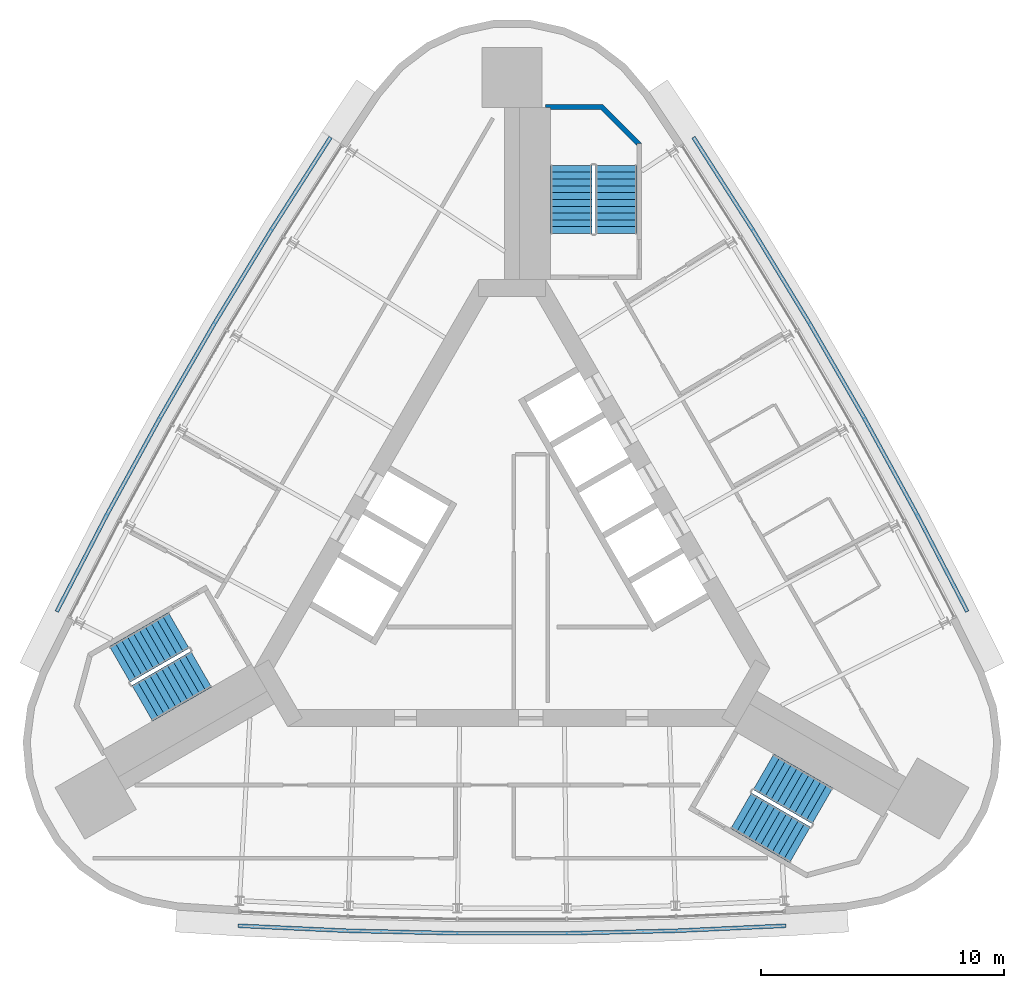
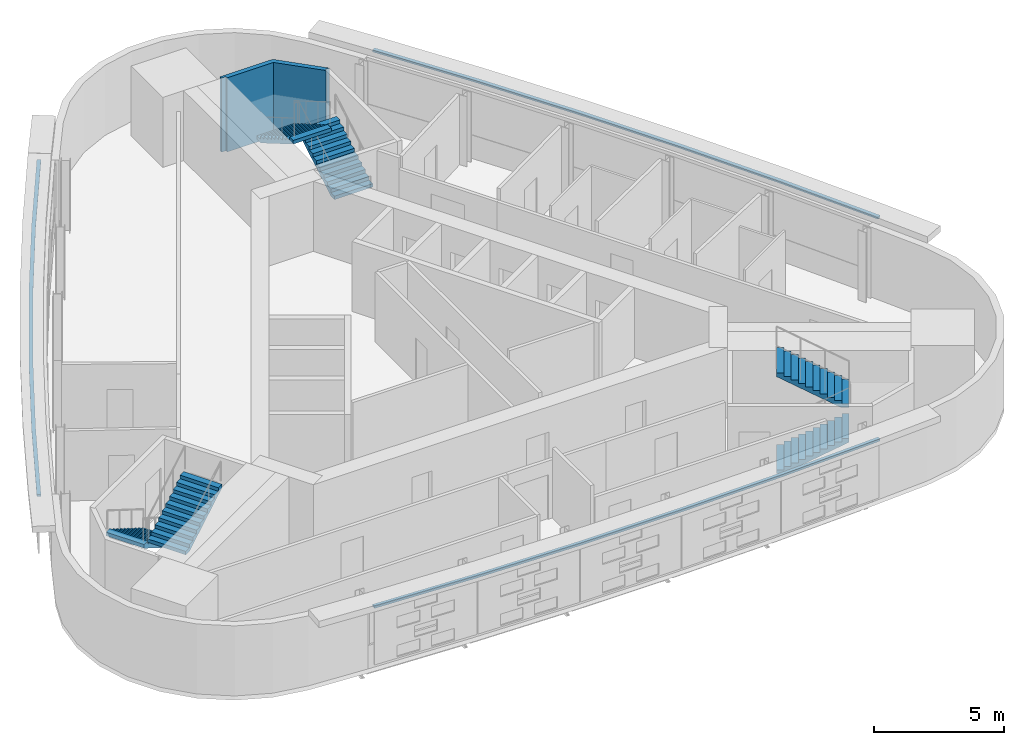
# One storey, part 8 of 10: 6 stair flights, 3 discrete accessories, 1 wall, 3 elements without a shape of their own.
"""IFC4 building model written with IfcOpenShell, lengths in metres."""

from ifc_helpers import new_model, si_unit, direction, frame, origin, place, context, subcontext, project, spatial, polyline, outline, extrude, material, type_object, element, aggregate, save


model = new_model("IFC4")

# Units and contexts
model_context = context("Model", 3, precision=1e-05, world=origin(), true_north=direction((0.0, 1.0)))
body_context = subcontext(model_context, "Body", "Model", "MODEL_VIEW")
ifc_project = project(units=[si_unit("LENGTHUNIT", "METRE"), si_unit("AREAUNIT", "SQUARE_METRE"), si_unit("VOLUMEUNIT", "CUBIC_METRE"), si_unit("PLANEANGLEUNIT", "RADIAN"), si_unit("MASSUNIT", "GRAM", prefix="KILO")], contexts=[model_context])

# Site, building, storey
site_placement = place(None, origin())
site = spatial("IfcSite", under=ifc_project, at=site_placement, CompositionType="ELEMENT")
building_placement = place(site_placement, origin())
building = spatial("IfcBuilding", under=site, at=building_placement, Name="Noor Cloister Tower", CompositionType="ELEMENT")
storey_placement = place(building_placement, frame((0.0, 0.0, 247.199951171875)))
storey = spatial("IfcBuildingStorey", under=building, at=storey_placement, Name="L64", CompositionType="ELEMENT", Elevation=247.199951171875)

# Wall
ifc_material_1 = material(Name="Concrete C60/75", Category="concrete")
wall_type = type_object("IfcWallType", Name="Stair far end wall C60/75", PredefinedType="SHEAR", material=ifc_material_1)
wall_placement = place(storey_placement, frame((0.0, 0.0, -0.199951171875)))
element("IfcWall", 1, at=wall_placement, inside=storey, type_object=wall_type, Name="Stair enclosure wall ST1 L64 far end", PredefinedType="SHEAR", context=body_context, shape_type="SweptSolid", body=[
    extrude(outline(polyline([(5.335693359375, 17.056396484375), (3.735595703125, 18.656494140625), (1.385498046875, 18.656494140625), (1.385498046875, 18.550048828125), (1.585693359375, 18.550048828125), (1.585693359375, 18.550048828125), (1.585693359375, 18.550048828125), (1.585693359375, 18.550048828125), (1.585693359375, 18.550048828125), (1.585693359375, 18.550048828125), (1.585693359375, 18.550048828125), (1.585693359375, 18.550048828125), (1.585693359375, 18.550048828125), (1.585693359375, 18.550048828125), (1.585693359375, 18.550048828125), (1.585693359375, 18.550048828125), (1.585693359375, 18.550048828125), (1.585693359375, 18.550048828125), (1.585693359375, 18.550048828125), (1.585693359375, 18.550048828125), (1.585693359375, 18.550048828125), (1.585693359375, 18.456298828125), (3.65283203125, 18.456298828125), (5.135498046875, 16.9736328125), (5.135498046875, 17.056396484375), (5.135498046875, 17.056396484375), (5.135498046875, 17.056396484375), (5.135498046875, 17.056396484375), (5.135498046875, 17.056396484375), (5.135498046875, 17.056396484375), (5.135498046875, 17.056396484375), (5.135498046875, 17.056396484375), (5.135498046875, 17.056396484375), (5.135498046875, 17.056396484375), (5.135498046875, 17.056396484375), (5.135498046875, 17.056396484375), (5.135498046875, 17.056396484375), (5.135498046875, 17.056396484375), (5.135498046875, 17.056396484375), (5.135498046875, 17.056396484375), (5.135498046875, 17.056396484375), (5.335693359375, 17.056396484375)])), origin(), (0.0, 0.0, 1.0), 3.5),
])

# Stair, stair flights
ifc_material_2 = material(Name="Concrete C40/50", Category="concrete")
stair_type = type_object("IfcStairType", Name="Exit stair 22 risers", PredefinedType="HALF_TURN_STAIR", material=ifc_material_2)
stair_1_placement = place(storey_placement, origin())
stair_1 = element("IfcStair", 2, at=stair_1_placement, inside=storey, type_object=stair_type, Name="Exit stair ST1 L64", PredefinedType="HALF_TURN_STAIR")
ifc_material_3 = material(Name="Concrete C40/50", Category="concrete")
stair_flight_type = type_object("IfcStairFlightType", Name="Exit stair flight", PredefinedType="STRAIGHT", material=ifc_material_3)
stair_flight_1_placement = place(storey_placement, frame((4.28564453125, 13.3564453125, 0.0), z_axis=(0.0, 0.0, 1.0), x_axis=(0.0, 1.0, 0.0)))
stair_flight_1 = element("IfcStairFlight", 3, at=stair_flight_1_placement, type_object=stair_flight_type, Name="ST1 flight 1", NumberOfRisers=11, NumberOfTreads=10, PredefinedType="STRAIGHT", RiserHeight=0.163636364, TreadLength=0.28, context=body_context, shape_type="SweptSolid", body=[
    extrude(outline(polyline([(0.0, 0.0), (0.0, 0.16357421875), (0.280029296875, 0.16357421875), (0.280029296875, 0.327392578125), (0.56005859375, 0.327392578125), (0.56005859375, 0.490966796875), (0.840087890625, 0.490966796875), (0.840087890625, 0.654541015625), (1.1201171875, 0.654541015625), (1.1201171875, 0.818115234375), (1.39990234375, 0.818115234375), (1.39990234375, 0.98193359375), (1.679931640625, 0.98193359375), (1.679931640625, 1.1455078125), (1.9599609375, 1.1455078125), (1.9599609375, 1.30908203125), (2.239990234375, 1.30908203125), (2.239990234375, 1.47265625), (2.52001953125, 1.47265625), (2.52001953125, 1.636474609375), (2.800048828125, 1.636474609375), (2.800048828125, 1.800048828125), (2.800048828125, 1.462646484375), (0.297119140625, 0.0), (0.0, 0.0)])), frame((0.0, 0.85009765625, 0.0), z_axis=(0.0, -1.0, 0.0), x_axis=(1.0, 0.0, 0.0)), (0.0, 0.0, 1.0), 1.699951171875),
])
stair_flight_2_placement = place(storey_placement, frame((2.435546875, 16.156494140625, 1.800048828125), z_axis=(0.0, 0.0, 1.0), x_axis=(0.0, -1.0, 0.0)))
stair_flight_2 = element("IfcStairFlight", 4, at=stair_flight_2_placement, type_object=stair_flight_type, Name="ST1 flight 2", NumberOfRisers=11, NumberOfTreads=10, PredefinedType="STRAIGHT", RiserHeight=0.163636364, TreadLength=0.28, context=body_context, shape_type="SweptSolid", body=[
    extrude(outline(polyline([(0.0, 0.0), (0.0, 0.16357421875), (0.280029296875, 0.16357421875), (0.280029296875, 0.327392578125), (0.56005859375, 0.327392578125), (0.56005859375, 0.490966796875), (0.840087890625, 0.490966796875), (0.840087890625, 0.654541015625), (1.1201171875, 0.654541015625), (1.1201171875, 0.818115234375), (1.39990234375, 0.818115234375), (1.39990234375, 0.98193359375), (1.679931640625, 0.98193359375), (1.679931640625, 1.1455078125), (1.9599609375, 1.1455078125), (1.9599609375, 1.30908203125), (2.239990234375, 1.30908203125), (2.239990234375, 1.47265625), (2.52001953125, 1.47265625), (2.52001953125, 1.636474609375), (2.800048828125, 1.636474609375), (2.800048828125, 1.800048828125), (2.800048828125, 1.462646484375), (0.297119140625, 0.0), (0.0, 0.0)])), frame((0.0, 0.85009765625, 0.0), z_axis=(0.0, -1.0, 0.0), x_axis=(1.0, 0.0, 0.0)), (0.0, 0.0, 1.0), 1.699951171875),
])
aggregate(stair_1, [stair_flight_1, stair_flight_2])

stair_2_placement = place(storey_placement, origin())
stair_2 = element("IfcStair", 5, at=stair_2_placement, inside=storey, type_object=stair_type, Name="Exit stair ST2 L64", PredefinedType="HALF_TURN_STAIR")
stair_flight_3_placement = place(storey_placement, frame((-13.709716796875, -2.966796875, 0.0), z_axis=(0.0, 0.0, 1.0), x_axis=(-0.866025403784, -0.5, 0.0)))
stair_flight_3 = element("IfcStairFlight", 6, at=stair_flight_3_placement, type_object=stair_flight_type, Name="ST2 flight 1", NumberOfRisers=11, NumberOfTreads=10, PredefinedType="STRAIGHT", RiserHeight=0.163636364, TreadLength=0.28, context=body_context, shape_type="SweptSolid", body=[
    extrude(outline(polyline([(0.0, 0.0), (0.0, 0.16357421875), (0.280029296875, 0.16357421875), (0.280029296875, 0.327392578125), (0.56005859375, 0.327392578125), (0.56005859375, 0.490966796875), (0.840087890625, 0.490966796875), (0.840087890625, 0.654541015625), (1.1201171875, 0.654541015625), (1.1201171875, 0.818115234375), (1.39990234375, 0.818115234375), (1.39990234375, 0.98193359375), (1.679931640625, 0.98193359375), (1.679931640625, 1.1455078125), (1.9599609375, 1.1455078125), (1.9599609375, 1.30908203125), (2.239990234375, 1.30908203125), (2.239990234375, 1.47265625), (2.52001953125, 1.47265625), (2.52001953125, 1.636474609375), (2.800048828125, 1.636474609375), (2.800048828125, 1.800048828125), (2.800048828125, 1.462646484375), (0.297119140625, 0.0), (0.0, 0.0)])), frame((0.0, 0.85009765625, 0.0), z_axis=(0.0, -1.0, 0.0), x_axis=(1.0, 0.0, 0.0)), (0.0, 0.0, 1.0), 1.699951171875),
])
stair_flight_4_placement = place(storey_placement, frame((-15.209716796875, -5.968994140625, 1.800048828125), z_axis=(0.0, 0.0, 1.0), x_axis=(0.866025403784, 0.5, 0.0)))
stair_flight_4 = element("IfcStairFlight", 7, at=stair_flight_4_placement, type_object=stair_flight_type, Name="ST2 flight 2", NumberOfRisers=11, NumberOfTreads=10, PredefinedType="STRAIGHT", RiserHeight=0.163636364, TreadLength=0.28, context=body_context, shape_type="SweptSolid", body=[
    extrude(outline(polyline([(0.0, 0.0), (0.0, 0.16357421875), (0.280029296875, 0.16357421875), (0.280029296875, 0.327392578125), (0.56005859375, 0.327392578125), (0.56005859375, 0.490966796875), (0.840087890625, 0.490966796875), (0.840087890625, 0.654541015625), (1.1201171875, 0.654541015625), (1.1201171875, 0.818115234375), (1.39990234375, 0.818115234375), (1.39990234375, 0.98193359375), (1.679931640625, 0.98193359375), (1.679931640625, 1.1455078125), (1.9599609375, 1.1455078125), (1.9599609375, 1.30908203125), (2.239990234375, 1.30908203125), (2.239990234375, 1.47265625), (2.52001953125, 1.47265625), (2.52001953125, 1.636474609375), (2.800048828125, 1.636474609375), (2.800048828125, 1.800048828125), (2.800048828125, 1.462646484375), (0.297119140625, 0.0), (0.0, 0.0)])), frame((0.0, 0.85009765625, 0.0), z_axis=(0.0, -1.0, 0.0), x_axis=(1.0, 0.0, 0.0)), (0.0, 0.0, 1.0), 1.699951171875),
])
aggregate(stair_2, [stair_flight_3, stair_flight_4])

stair_3_placement = place(storey_placement, origin())
stair_3 = element("IfcStair", 8, at=stair_3_placement, inside=storey, type_object=stair_type, Name="Exit stair ST3 L64", PredefinedType="HALF_TURN_STAIR")
stair_flight_5_placement = place(storey_placement, frame((9.424072265625, -10.3896484375, 0.0), z_axis=(0.0, 0.0, 1.0), x_axis=(0.866025403784, -0.5, 0.0)))
stair_flight_5 = element("IfcStairFlight", 9, at=stair_flight_5_placement, type_object=stair_flight_type, Name="ST3 flight 1", NumberOfRisers=11, NumberOfTreads=10, PredefinedType="STRAIGHT", RiserHeight=0.163636364, TreadLength=0.28, context=body_context, shape_type="SweptSolid", body=[
    extrude(outline(polyline([(0.0, 0.0), (0.0, 0.16357421875), (0.280029296875, 0.16357421875), (0.280029296875, 0.327392578125), (0.56005859375, 0.327392578125), (0.56005859375, 0.490966796875), (0.840087890625, 0.490966796875), (0.840087890625, 0.654541015625), (1.1201171875, 0.654541015625), (1.1201171875, 0.818115234375), (1.39990234375, 0.818115234375), (1.39990234375, 0.98193359375), (1.679931640625, 0.98193359375), (1.679931640625, 1.1455078125), (1.9599609375, 1.1455078125), (1.9599609375, 1.30908203125), (2.239990234375, 1.30908203125), (2.239990234375, 1.47265625), (2.52001953125, 1.47265625), (2.52001953125, 1.636474609375), (2.800048828125, 1.636474609375), (2.800048828125, 1.800048828125), (2.800048828125, 1.462646484375), (0.297119140625, 0.0), (0.0, 0.0)])), frame((0.0, 0.85009765625, 0.0), z_axis=(0.0, -1.0, 0.0), x_axis=(1.0, 0.0, 0.0)), (0.0, 0.0, 1.0), 1.699951171875),
])
stair_flight_6_placement = place(storey_placement, frame((12.77392578125, -10.1875, 1.800048828125), z_axis=(0.0, 0.0, 1.0), x_axis=(-0.866025403784, 0.5, 0.0)))
stair_flight_6 = element("IfcStairFlight", 10, at=stair_flight_6_placement, type_object=stair_flight_type, Name="ST3 flight 2", NumberOfRisers=11, NumberOfTreads=10, PredefinedType="STRAIGHT", RiserHeight=0.163636364, TreadLength=0.28, context=body_context, shape_type="SweptSolid", body=[
    extrude(outline(polyline([(0.0, 0.0), (0.0, 0.16357421875), (0.280029296875, 0.16357421875), (0.280029296875, 0.327392578125), (0.56005859375, 0.327392578125), (0.56005859375, 0.490966796875), (0.840087890625, 0.490966796875), (0.840087890625, 0.654541015625), (1.1201171875, 0.654541015625), (1.1201171875, 0.818115234375), (1.39990234375, 0.818115234375), (1.39990234375, 0.98193359375), (1.679931640625, 0.98193359375), (1.679931640625, 1.1455078125), (1.9599609375, 1.1455078125), (1.9599609375, 1.30908203125), (2.239990234375, 1.30908203125), (2.239990234375, 1.47265625), (2.52001953125, 1.47265625), (2.52001953125, 1.636474609375), (2.800048828125, 1.636474609375), (2.800048828125, 1.800048828125), (2.800048828125, 1.462646484375), (0.297119140625, 0.0), (0.0, 0.0)])), frame((0.0, 0.85009765625, 0.0), z_axis=(0.0, -1.0, 0.0), x_axis=(1.0, 0.0, 0.0)), (0.0, 0.0, 1.0), 1.699951171875),
])
aggregate(stair_3, [stair_flight_5, stair_flight_6])

# Discrete accessories
ifc_material_4 = material(Name="Stainless steel grade 316", Category="steel")
discrete_accessory_type = type_object("IfcDiscreteAccessoryType", Name="Stainless hanger rail", PredefinedType="BRACKET", material=ifc_material_4)
discrete_accessory_1_placement = place(storey_placement, frame((0.0, 0.0, 3.199951171875)))
element("IfcDiscreteAccessory", 11, at=discrete_accessory_1_placement, inside=storey, type_object=discrete_accessory_type, Name="Hanger rail L64", PredefinedType="BRACKET", context=body_context, shape_type="SweptSolid", body=[
    extrude(outline(polyline([(-7.52880859375, 17.359619140625), (-9.95849609375, 13.564453125), (-12.303955078125, 9.708984375), (-14.560302734375, 5.801025390625), (-16.726318359375, 1.842041015625), (-18.79833984375, -2.15966796875), (-18.65625, -2.233154296875), (-16.585205078125, 1.766845703125), (-14.420654296875, 5.722412109375), (-12.166259765625, 9.62744140625), (-9.82275390625, 13.479736328125), (-7.39404296875, 17.2734375), (-7.52880859375, 17.359619140625)])), origin(), (0.0, 0.0, 1.0), 0.10009765625),
])
discrete_accessory_2_placement = place(storey_placement, frame((0.0, 0.0, 3.199951171875)))
element("IfcDiscreteAccessory", 12, at=discrete_accessory_2_placement, inside=storey, type_object=discrete_accessory_type, Name="Hanger rail L64", PredefinedType="BRACKET", context=body_context, shape_type="SweptSolid", body=[
    extrude(outline(polyline([(-11.26953125, -15.199951171875), (-6.767822265625, -15.406494140625), (-2.25634765625, -15.510009765625), (2.25634765625, -15.510009765625), (6.767822265625, -15.406494140625), (11.26953125, -15.199951171875), (11.26220703125, -15.0400390625), (6.762451171875, -15.24658203125), (2.254638671875, -15.35009765625), (-2.254638671875, -15.35009765625), (-6.762451171875, -15.24658203125), (-11.26220703125, -15.0400390625), (-11.26953125, -15.199951171875)])), origin(), (0.0, 0.0, 1.0), 0.10009765625),
])
discrete_accessory_3_placement = place(storey_placement, frame((0.0, 0.0, 3.199951171875)))
element("IfcDiscreteAccessory", 13, at=discrete_accessory_3_placement, inside=storey, type_object=discrete_accessory_type, Name="Hanger rail L64", PredefinedType="BRACKET", context=body_context, shape_type="SweptSolid", body=[
    extrude(outline(polyline([(18.79833984375, -2.15966796875), (16.726318359375, 1.842041015625), (14.560302734375, 5.801025390625), (12.303955078125, 9.708984375), (9.95849609375, 13.564453125), (7.52880859375, 17.359619140625), (7.39404296875, 17.2734375), (9.82275390625, 13.479736328125), (12.166259765625, 9.62744140625), (14.420654296875, 5.722412109375), (16.585205078125, 1.766845703125), (18.65625, -2.233154296875), (18.79833984375, -2.15966796875)])), origin(), (0.0, 0.0, 1.0), 0.10009765625),
])

save(model, "model.ifc")
